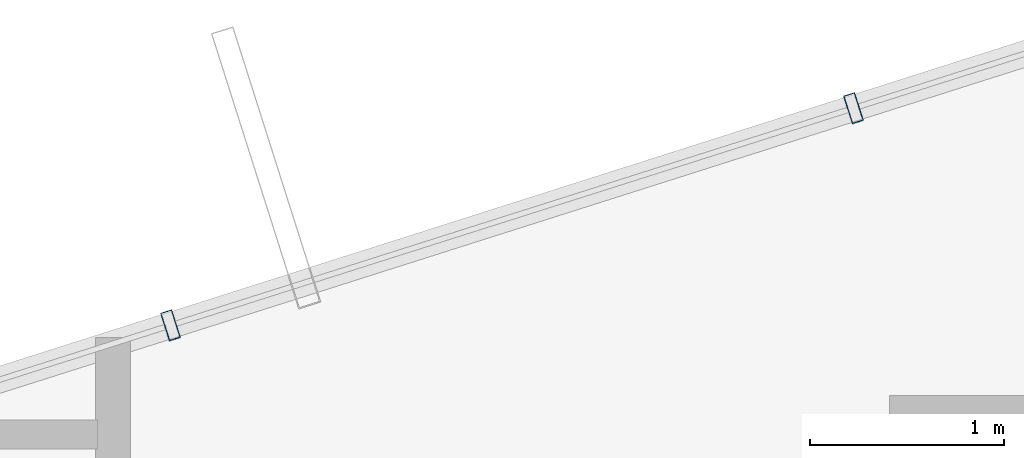
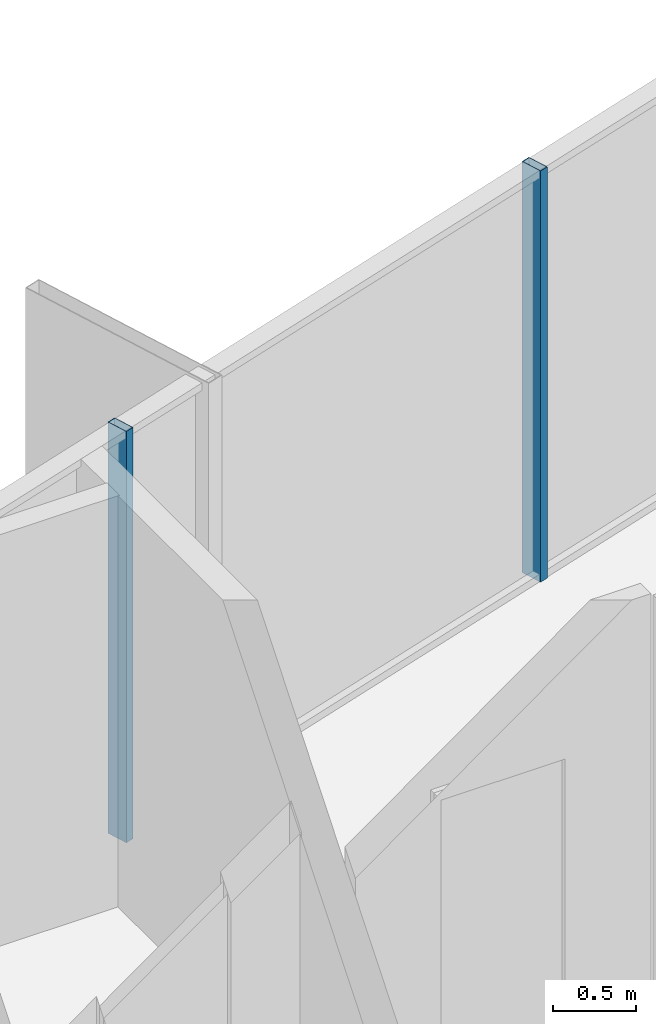
# One storey, part 20 of 28: 2 members, 1 element without a shape of its own.
"""IFC4 building model written with IfcOpenShell, lengths in metres."""

import ifcopenshell
import ifcopenshell.guid

model = None  # the IFC model being written
_history = None  # IfcOwnerHistory: only IFC2X3 demands one
_inside = {}  # id of a spatial element -> (the spatial element, [elements in it])
_under = {}  # id of a project, library or spatial element -> (it, [spatial elements below it])
_declared = {}  # id of a project -> (the project, [libraries it declares])
_typed = {}  # id of a type object -> (the type object, [elements of that type])
_made_of = {}  # id of a material, layer set ... -> (it, [elements and type objects made of it])


def new_model(schema):
    """Start an empty IFC model of exactly this schema.

    Asked for "IFC4X3", IfcOpenShell would pick the latest addendum, in which some entities
    have other attributes; the version numbers below select the first issue.
    IFC2X3 requires an IfcOwnerHistory on every rooted entity: one is made here for all.
    """
    global model, _history
    if schema == "IFC4X3":
        model = ifcopenshell.file(schema_version=(4, 3, 0, 0))
    else:
        model = ifcopenshell.file(schema=schema)
    _inside.clear()
    _under.clear()
    _declared.clear()
    _typed.clear()
    _made_of.clear()
    _history = None
    if model.schema == "IFC2X3":
        org = make("IfcOrganization", Name="unknown")
        user = make(
            "IfcPersonAndOrganization",
            ThePerson=make("IfcPerson", FamilyName="unknown"),
            TheOrganization=org,
        )
        app = make(
            "IfcApplication",
            ApplicationDeveloper=org,
            Version="unknown",
            ApplicationFullName="unknown",
            ApplicationIdentifier="unknown",
        )
        _history = make(
            "IfcOwnerHistory",
            OwningUser=user,
            OwningApplication=app,
            ChangeAction="ADDED",
            CreationDate=0,
        )
    return model


def make(cls, **values):
    """One entity of the class cls with the attributes given. An attribute that is None is left unset."""
    return model.create_entity(
        cls, **{name: value for name, value in values.items() if value is not None}
    )


def rooted(cls, **values):
    """An entity with a GlobalId (a new one), such as an element, a storey or a relation."""
    return make(cls, GlobalId=ifcopenshell.guid.new(), OwnerHistory=_history, **values)


def si_unit(unit_type, name, prefix=None):
    """IfcSIUnit, for example si_unit("LENGTHUNIT", "METRE", prefix="MILLI")."""
    return make("IfcSIUnit", UnitType=unit_type, Prefix=prefix, Name=name)


def assignment(units):
    """IfcUnitAssignment: the units of a project."""
    return None if units is None else make("IfcUnitAssignment", Units=units)


def point(xyz):
    """IfcCartesianPoint."""
    return None if xyz is None else make("IfcCartesianPoint", Coordinates=xyz)


def direction(xyz):
    """IfcDirection."""
    return None if xyz is None else make("IfcDirection", DirectionRatios=xyz)


def frame(location, z_axis=None, x_axis=None):
    """IfcAxis2Placement3D, a coordinate frame: its origin and axes. An axis left out is left unset."""
    return make(
        "IfcAxis2Placement3D",
        Location=point(location),
        Axis=direction(z_axis),
        RefDirection=direction(x_axis),
    )


def frame_2d(location, x_axis=None):
    """IfcAxis2Placement2D, a coordinate frame in the plane: its origin and x axis."""
    return make(
        "IfcAxis2Placement2D", Location=point(location), RefDirection=direction(x_axis)
    )


def origin():
    """The frame at (0, 0, 0) with its axes left unset."""
    return frame((0.0, 0.0, 0.0))


def origin_2d():
    """The frame at (0, 0) in the plane with its x axis left unset."""
    return frame_2d((0.0, 0.0))


def place(relative_to, where):
    """IfcLocalPlacement: puts the frame where relative to a parent placement (None: the world)."""
    return make(
        "IfcLocalPlacement", PlacementRelTo=relative_to, RelativePlacement=where
    )


def context(
    kind, dimensions, precision=None, world=None, true_north=None, identifier=None
):
    """IfcGeometricRepresentationContext, for example the 3D "Model" context."""
    return make(
        "IfcGeometricRepresentationContext",
        ContextIdentifier=identifier,
        ContextType=kind,
        CoordinateSpaceDimension=dimensions,
        Precision=precision,
        WorldCoordinateSystem=world,
        TrueNorth=true_north,
    )


def subcontext(parent, identifier, kind, view, scale=None):
    """IfcGeometricRepresentationSubContext, for example "Body" below "Model"."""
    return make(
        "IfcGeometricRepresentationSubContext",
        ContextIdentifier=identifier,
        ContextType=kind,
        ParentContext=parent,
        TargetScale=scale,
        TargetView=view,
    )


def project(units=None, contexts=None):
    """IfcProject with its units and contexts."""
    return rooted(
        "IfcProject",
        Name="project",
        RepresentationContexts=contexts,
        UnitsInContext=assignment(units),
    )


def spatial(cls, under=None, at=None, **own):
    """A site, building, storey or space (cls), placed at a placement, below another one or the project."""
    s = rooted(cls, ObjectPlacement=at, **own)
    if under is not None:
        _under.setdefault(under.id(), (under, []))[1].append(s)
    return s


def profile(cls, at=None, kind="AREA", **sizes):
    """A parametric profile (cls). Its sizes go by their IFC names, for example OverallWidth=200.0."""
    return make(cls, ProfileType=kind, Position=at, **sizes)


def hollow_rectangle(**sizes):
    """IfcRectangleHollowProfileDef."""
    return profile("IfcRectangleHollowProfileDef", **sizes)


def extrude(swept, where, along, depth):
    """IfcExtrudedAreaSolid: the profile swept, set in the frame where, extruded along a direction by depth."""
    return make(
        "IfcExtrudedAreaSolid",
        SweptArea=swept,
        Position=where,
        ExtrudedDirection=direction(along),
        Depth=depth,
    )


def shape(context_of_items, identifier, shape_type, items):
    """IfcShapeRepresentation: the items that make up one representation, for example the "Body"."""
    return make(
        "IfcShapeRepresentation",
        ContextOfItems=context_of_items,
        RepresentationIdentifier=identifier,
        RepresentationType=shape_type,
        Items=items,
    )


def source(mapping_origin, context_of_items, identifier, shape_type, items):
    """IfcRepresentationMap: a shape defined once, which mapped items show again and again."""
    return make(
        "IfcRepresentationMap",
        MappingOrigin=mapping_origin,
        MappedRepresentation=shape(context_of_items, identifier, shape_type, items),
    )


def transform(
    local_origin,
    x_axis=None,
    y_axis=None,
    z_axis=None,
    scale=None,
    scale2=None,
    scale3=None,
    uniform=True,
):
    """IfcCartesianTransformationOperator3D, or its non-uniform kind. x_axis, y_axis, z_axis: its Axis1, 2, 3."""
    if uniform:
        return make(
            "IfcCartesianTransformationOperator3D",
            Axis1=direction(x_axis),
            Axis2=direction(y_axis),
            LocalOrigin=point(local_origin),
            Scale=scale,
            Axis3=direction(z_axis),
        )
    return make(
        "IfcCartesianTransformationOperator3DnonUniform",
        Axis1=direction(x_axis),
        Axis2=direction(y_axis),
        LocalOrigin=point(local_origin),
        Scale=scale,
        Axis3=direction(z_axis),
        Scale2=scale2,
        Scale3=scale3,
    )


def mapped(mapping_source, mapping_target):
    """IfcMappedItem: shows the shape of a source again, moved by a transform."""
    return make(
        "IfcMappedItem", MappingSource=mapping_source, MappingTarget=mapping_target
    )


def material(Name=None, Category=None):
    """IfcMaterial."""
    return make("IfcMaterial", Name=Name, Category=Category)


def layer(
    of_material, thickness, ventilated=None, Name=None, Category=None, Priority=None
):
    """IfcMaterialLayer: one layer of a wall or slab, of a material (None: an air gap)."""
    return make(
        "IfcMaterialLayer",
        Material=of_material,
        LayerThickness=thickness,
        IsVentilated=ventilated,
        Name=Name,
        Category=Category,
        Priority=Priority,
    )


def layer_set(layers, Name=None):
    """IfcMaterialLayerSet."""
    return make("IfcMaterialLayerSet", MaterialLayers=layers, LayerSetName=Name)


def material_profile(
    of_material, cross_section, Name=None, Category=None, Priority=None
):
    """IfcMaterialProfile: a cross section and its material."""
    return make(
        "IfcMaterialProfile",
        Name=Name,
        Material=of_material,
        Profile=cross_section,
        Priority=Priority,
        Category=Category,
    )


def profile_set(profiles, Name=None, composite=None):
    """IfcMaterialProfileSet."""
    return make(
        "IfcMaterialProfileSet",
        Name=Name,
        MaterialProfiles=profiles,
        CompositeProfile=composite,
    )


def made_of(thing, what):
    """Note that an element or type object is made of a material, layer set ...; save() writes the relation."""
    if what is not None:
        _made_of.setdefault(what.id(), (what, []))[1].append(thing)
    return thing


def type_object(cls, material=None, **own):
    """A type object (cls), such as IfcWallType, which elements share."""
    return made_of(rooted(cls, **own), material)


def element(
    cls,
    number,
    at=None,
    inside=None,
    cuts=None,
    type_object=None,
    material=None,
    context=None,
    identifier="Body",
    shape_type=None,
    held_by="IfcProductDefinitionShape",
    body=None,
    shapes=None,
    **own,
):
    """One element of the class cls, such as IfcWall. Its Tag is "e" and its number.

    at: its placement. inside: the storey or other place that contains it. cuts: it is an
    opening in that element (IfcRelVoidsElement). A single representation is given by context,
    identifier, shape_type and body (its items); several are given by shapes. held_by: the class
    of the entity that holds the representations. save() writes the other relations.
    """
    e = rooted(cls, Tag="e%d" % number, ObjectPlacement=at, **own)
    if body is not None:
        shapes = [shape(context, identifier, shape_type, body)]
    if shapes is not None:
        e.Representation = make(held_by, Representations=shapes)
    if inside is not None:
        _inside.setdefault(inside.id(), (inside, []))[1].append(e)
    if cuts is not None:
        rooted(
            "IfcRelVoidsElement", RelatingBuildingElement=cuts, RelatedOpeningElement=e
        )
    if type_object is not None:
        _typed.setdefault(type_object.id(), (type_object, []))[1].append(e)
    return made_of(e, material)


def aggregate(whole, parts):
    """IfcRelAggregates: a whole, such as a stair, and the parts it consists of."""
    return rooted("IfcRelAggregates", RelatingObject=whole, RelatedObjects=parts)


def save(model, path):
    """Write the relations noted so far, then the file.

    IfcRelAggregates (storeys below a building ...), IfcRelContainedInSpatialStructure (elements
    in a storey), IfcRelDefinesByType, IfcRelAssociatesMaterial and IfcRelDeclares: one each for
    every whole, place, type object, material and project.
    """
    for whole, parts in _under.values():
        aggregate(whole, parts)
    for where, things in _inside.values():
        rooted(
            "IfcRelContainedInSpatialStructure",
            RelatedElements=things,
            RelatingStructure=where,
        )
    for kind, things in _typed.values():
        rooted("IfcRelDefinesByType", RelatedObjects=things, RelatingType=kind)
    for what, things in _made_of.values():
        rooted("IfcRelAssociatesMaterial", RelatedObjects=things, RelatingMaterial=what)
    for by, libraries in _declared.values():
        rooted("IfcRelDeclares", RelatingContext=by, RelatedDefinitions=libraries)
    model.write(path)


model = new_model("IFC4")

# Units and contexts
model_context = context("Model", 3, precision=1e-05, world=origin(), true_north=direction((0.0, 1.0)))
body_context = subcontext(model_context, "Body", "Model", "MODEL_VIEW")
ifc_project = project(units=[si_unit("LENGTHUNIT", "METRE"), si_unit("AREAUNIT", "SQUARE_METRE"), si_unit("VOLUMEUNIT", "CUBIC_METRE"), si_unit("PLANEANGLEUNIT", "RADIAN"), si_unit("MASSUNIT", "GRAM", prefix="KILO")], contexts=[model_context])

# Site, building, storey
site_placement = place(None, origin())
site = spatial("IfcSite", under=ifc_project, at=site_placement, CompositionType="ELEMENT")
building_placement = place(site_placement, origin())
building = spatial("IfcBuilding", under=site, at=building_placement, Name="Veraguas Prism Commons", CompositionType="ELEMENT")
storey_placement = place(building_placement, frame((0.0, 0.0, 251.25)))
storey = spatial("IfcBuildingStorey", under=building, at=storey_placement, Name="L71", CompositionType="ELEMENT", Elevation=251.25)

# Curtain wall, members
ifc_material = material(Name="Anodised aluminium EN AW-6063 T6", Category="aluminium")
ifc_layer = layer(ifc_material, 0.14990234375, Name="Unitised Flush Curtain Wall Zone 4", Category="aluminium")
ifc_layer_set = layer_set([ifc_layer], Name="Anodised aluminium EN AW-6063 T6")
curtain_wall_type = type_object("IfcCurtainWallType", Name="Unitised Flush Curtain Wall Zone 4", PredefinedType="NOTDEFINED", material=ifc_layer_set)
curtain_wall_placement = place(storey_placement, origin())
curtain_wall = element("IfcCurtainWall", 1, at=curtain_wall_placement, inside=storey, type_object=curtain_wall_type, Name="Tower Facade Curtain Wall L71-F2", PredefinedType="NOTDEFINED")
ifc_material_profile = material_profile(ifc_material, hollow_rectangle(XDim=0.06005859375, YDim=0.14990234375, WallThickness=0.0029296875, at=origin_2d()), Name="AL60X150X3")
ifc_profile_set = profile_set([ifc_material_profile], Name="Anodised aluminium EN AW-6063 T6")
member_type = type_object("IfcMemberType", Name="Curtain Wall Mullion Upper AL 60x150x3", PredefinedType="MULLION", material=ifc_profile_set)
shared_shape = source(origin(), body_context, "Body", "SweptSolid", [
    extrude(hollow_rectangle(XDim=0.06005859375, YDim=0.14990234375, WallThickness=0.0029296875, at=origin_2d()), origin(), (0.0, 0.0, 1.0), 3.014892578125),
])
member_1_placement = place(storey_placement, frame((19.013671875, 39.6806640625, 0.0), z_axis=(0.0, 0.0, 1.0), x_axis=(-0.952979870412, -0.30303360637, 0.0)))
member_1 = element("IfcMember", 2, at=member_1_placement, type_object=member_type, Name="CW-Z4 Mullion 3", PredefinedType="MULLION", context=body_context, shape_type="MappedRepresentation", body=[
    mapped(shared_shape, transform((0.0, 0.0, 0.0), scale=1.0)),
])
member_2_placement = place(storey_placement, frame((15.49560546875, 38.56201171875, 0.0), z_axis=(0.0, 0.0, 1.0), x_axis=(-0.952979870412, -0.30303360637, 0.0)))
member_2 = element("IfcMember", 3, at=member_2_placement, type_object=member_type, Name="CW-Z4 Mullion 4", PredefinedType="MULLION", context=body_context, shape_type="MappedRepresentation", body=[
    mapped(shared_shape, transform((0.0, 0.0, 0.0), scale=1.0)),
])
aggregate(curtain_wall, [member_1, member_2])

save(model, "model.ifc")
